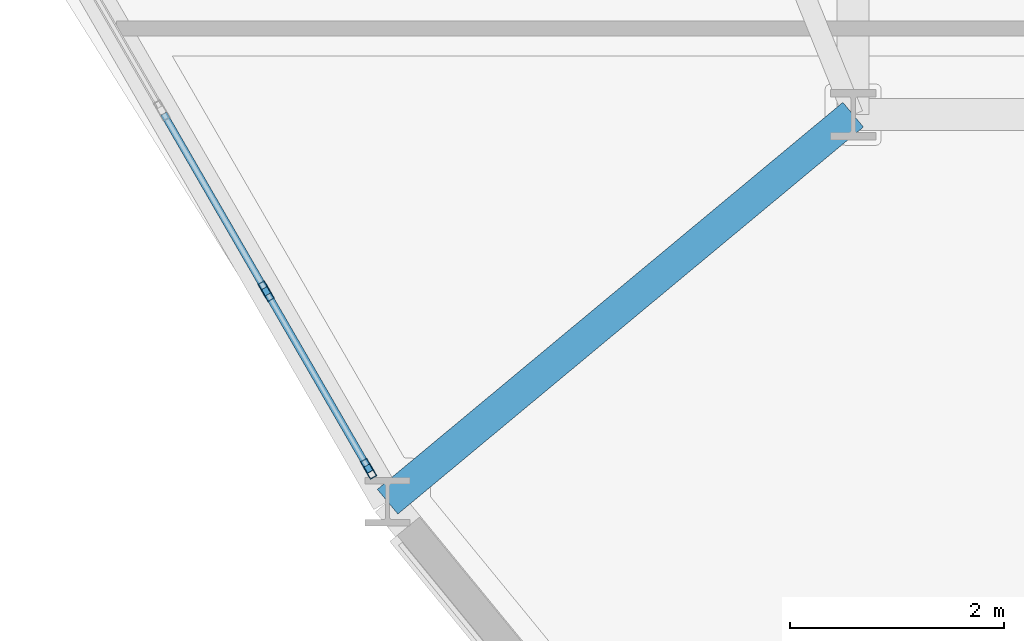
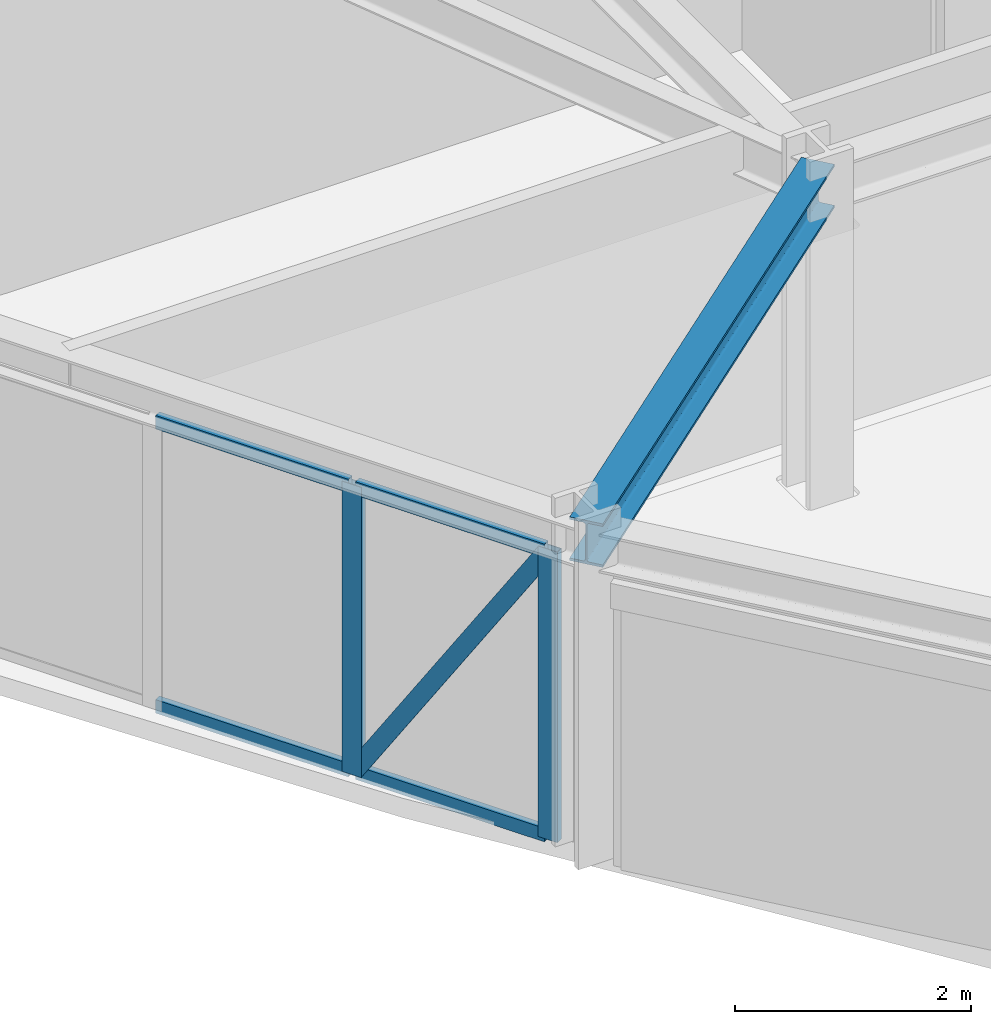
# One storey, part 2 of 23: 7 members, 1 beam, 1 element without a shape of its own.
"""IFC4 building model written with IfcOpenShell, lengths in metres."""

from ifc_helpers import new_model, si_unit, derived_unit, direction, frame, origin, origin_2d, place, context, subcontext, project, spatial, hollow_rectangle, i_section, extrude, source, transform, mapped, material, layer, layer_set, material_profile, profile_set, type_object, element, aggregate, save


model = new_model("IFC4")

# Units and contexts
model_context = context("Model", 3, precision=1e-05, world=origin(), true_north=direction((0.0, 1.0)))
body_context = subcontext(model_context, "Body", "Model", "MODEL_VIEW")
ifc_project = project(units=[si_unit("LENGTHUNIT", "METRE"), si_unit("AREAUNIT", "SQUARE_METRE"), si_unit("VOLUMEUNIT", "CUBIC_METRE"), si_unit("PLANEANGLEUNIT", "RADIAN"), si_unit("MASSUNIT", "GRAM", prefix="KILO"), derived_unit("THERMALTRANSMITTANCEUNIT", [(si_unit("POWERUNIT", "WATT"), 1), (si_unit("LENGTHUNIT", "METRE"), -2), (si_unit("THERMODYNAMICTEMPERATUREUNIT", "KELVIN"), -1)])], contexts=[model_context])

# Site, building, storey
site_placement = place(None, origin())
site = spatial("IfcSite", under=ifc_project, at=site_placement, CompositionType="ELEMENT")
building_placement = place(site_placement, origin())
building = spatial("IfcBuilding", under=site, at=building_placement, Name="Korsvarv Bourse and Concert Hall", CompositionType="ELEMENT")
storey_placement = place(building_placement, frame((0.0, 0.0, 99.0)))
storey = spatial("IfcBuildingStorey", under=building, at=storey_placement, Name="L24", CompositionType="ELEMENT", Elevation=99.0)

# Beam
ifc_material_1 = material(Name="Steel S355", Category="steel")
ifc_material_profile_1 = material_profile(ifc_material_1, i_section(OverallWidth=0.300048828125, OverallDepth=0.449951171875, WebThickness=0.013916015625, FlangeThickness=0.02587890625, FilletRadius=0.02099609375, at=origin_2d()), Name="HEB 450")
ifc_profile_set_1 = profile_set([ifc_material_profile_1], Name="Steel S355")
beam_type = type_object("IfcBeamType", Name="BM-HEB450", PredefinedType="SPANDREL", material=ifc_profile_set_1)
shared_shape_1 = source(origin(), body_context, "Body", "SweptSolid", [
    extrude(i_section(OverallWidth=0.300048828125, OverallDepth=0.449951171875, WebThickness=0.013916015625, FlangeThickness=0.02587890625, FilletRadius=0.02099609375, at=origin_2d()), origin(), (0.0, 0.0, 1.0), 5.658447265625),
])
beam_placement = place(storey_placement, frame((23.248779296875, 20.3828125, 3.175048828125), z_axis=(0.768995227549, 0.639254518957, 0.0), x_axis=(-0.639254518957, 0.768995227549, 0.0)))
element("IfcBeam", 1, at=beam_placement, inside=storey, type_object=beam_type, Name="L24 beam B-08", PredefinedType="SPANDREL", context=body_context, shape_type="MappedRepresentation", body=[
    mapped(shared_shape_1, transform((0.0, 0.0, 0.0), scale=1.0)),
])

# Curtain wall, members
ifc_material_2 = material(Name="Anodised aluminium and triple low-E glazing", Category="glass")
ifc_layer = layer(ifc_material_2, 0.2099609375)
ifc_layer_set = layer_set([ifc_layer], Name="Anodised aluminium and triple low-E glazing")
curtain_wall_type = type_object("IfcCurtainWallType", Name="CW-SYS-2", PredefinedType="NOTDEFINED", material=ifc_layer_set)
curtain_wall_placement = place(storey_placement, origin())
curtain_wall = element("IfcCurtainWall", 2, at=curtain_wall_placement, inside=storey, type_object=curtain_wall_type, Name="L24 CW2 curtain wall CW-L24-F07", PredefinedType="NOTDEFINED")
ifc_material_3 = material(Name="Extruded aluminium EN AW-6063 T66", Category="aluminium")
ifc_material_profile_2 = material_profile(ifc_material_3, hollow_rectangle(XDim=0.070068359375, YDim=0.18994140625, WallThickness=0.0048828125, at=origin_2d()), Name="ALU-M 70x190")
ifc_profile_set_2 = profile_set([ifc_material_profile_2], Name="Extruded aluminium EN AW-6063 T66")
member_type_1 = type_object("IfcMemberType", Name="CWM-190", PredefinedType="MULLION", material=ifc_profile_set_2)
shared_shape_2 = source(origin(), body_context, "Body", "SweptSolid", [
    extrude(hollow_rectangle(XDim=0.070068359375, YDim=0.18994140625, WallThickness=0.0048828125, at=origin_2d()), origin(), (0.0, 0.0, 1.0), 3.0),
])
member_1_placement = place(storey_placement, frame((22.113037109375, 22.349853515625, 0.0), z_axis=(0.0, 0.0, 1.0), x_axis=(0.866024031595, 0.500002376695, 0.0)))
member_1 = element("IfcMember", 3, at=member_1_placement, type_object=member_type_1, Name="CW2 mullion 7", PredefinedType="MULLION", context=body_context, shape_type="MappedRepresentation", body=[
    mapped(shared_shape_2, transform((0.0, 0.0, 0.0), scale=1.0)),
])
member_2_placement = place(storey_placement, frame((23.071044921875, 20.6904296875, 0.0), z_axis=(0.0, 0.0, 1.0), x_axis=(0.866024031595, 0.500002376695, 0.0)))
member_2 = element("IfcMember", 4, at=member_2_placement, type_object=member_type_1, Name="CW2 mullion 8", PredefinedType="MULLION", context=body_context, shape_type="MappedRepresentation", body=[
    mapped(shared_shape_2, transform((0.0, 0.0, 0.0), scale=1.0)),
])
ifc_material_profile_3 = material_profile(ifc_material_3, hollow_rectangle(XDim=0.06494140625, YDim=0.139892578125, WallThickness=0.00390625, at=origin_2d()), Name="ALU-T 65x140")
ifc_profile_set_3 = profile_set([ifc_material_profile_3], Name="Extruded aluminium EN AW-6063 T66")
member_type_2 = type_object("IfcMemberType", Name="CWT-140", PredefinedType="USERDEFINED", material=ifc_profile_set_3)
shared_shape_3 = source(origin(), body_context, "Body", "SweptSolid", [
    extrude(hollow_rectangle(XDim=0.06494140625, YDim=0.139892578125, WallThickness=0.00390625, at=origin_2d()), origin(), (0.0, 0.0, 1.0), 1.84619140625),
])
member_3_placement = place(storey_placement, frame((22.130615234375, 22.319580078125, 0.032470703125), z_axis=(0.499993363642, -0.866029235253, 0.0), x_axis=(0.866029235253, 0.499993363642, 0.0)))
member_3 = element("IfcMember", 5, at=member_3_placement, type_object=member_type_2, Name="CW2 transom 7.1", ObjectType="TRANSOM", PredefinedType="USERDEFINED", context=body_context, shape_type="MappedRepresentation", body=[
    mapped(shared_shape_3, transform((0.0, 0.0, 0.0), scale=1.0)),
])
member_4_placement = place(storey_placement, frame((22.130615234375, 22.319580078125, 2.967529296875), z_axis=(0.499993363642, -0.866029235253, 0.0), x_axis=(0.866029235253, 0.499993363642, 0.0)))
member_4 = element("IfcMember", 6, at=member_4_placement, type_object=member_type_2, Name="CW2 transom 7.2", ObjectType="TRANSOM", PredefinedType="USERDEFINED", context=body_context, shape_type="MappedRepresentation", body=[
    mapped(shared_shape_3, transform((0.0, 0.0, 0.0), scale=1.0)),
])
ifc_material_profile_4 = material_profile(ifc_material_3, hollow_rectangle(XDim=0.06494140625, YDim=0.1650390625, WallThickness=0.0048828125, at=origin_2d()), Name="ALU-M 65x165")
ifc_profile_set_4 = profile_set([ifc_material_profile_4], Name="Extruded aluminium EN AW-6063 T66")
member_type_3 = type_object("IfcMemberType", Name="CWM-165", PredefinedType="MULLION", material=ifc_profile_set_4)
shared_shape_4 = source(origin(), body_context, "Body", "SweptSolid", [
    extrude(hollow_rectangle(XDim=0.06494140625, YDim=0.1650390625, WallThickness=0.0048828125, at=origin_2d()), origin(), (0.0, 0.0, 1.0), 3.41259765625),
])
member_5_placement = place(storey_placement, frame((22.130615234375, 22.319580078125, 0.06494140625), z_axis=(0.270493439102, -0.468516670902, 0.84102641367), x_axis=(0.866029235253, 0.499993363642, 0.0)))
member_5 = element("IfcMember", 7, at=member_5_placement, type_object=member_type_3, Name="CW2 diagonal mullion 7", PredefinedType="MULLION", context=body_context, shape_type="MappedRepresentation", body=[
    mapped(shared_shape_4, transform((0.0, 0.0, 0.0), scale=1.0)),
])
shared_shape_5 = source(origin(), body_context, "Body", "SweptSolid", [
    extrude(hollow_rectangle(XDim=0.06494140625, YDim=0.139892578125, WallThickness=0.00390625, at=origin_2d()), origin(), (0.0, 0.0, 1.0), 1.881103515625),
])
member_6_placement = place(storey_placement, frame((21.155029296875, 24.00927734375, 0.032470703125), z_axis=(0.4999359155, -0.866062399826, 0.0), x_axis=(0.866062399826, 0.4999359155, 0.0)))
member_6 = element("IfcMember", 8, at=member_6_placement, type_object=member_type_2, Name="CW2 transom 6.1", ObjectType="TRANSOM", PredefinedType="USERDEFINED", context=body_context, shape_type="MappedRepresentation", body=[
    mapped(shared_shape_5, transform((0.0, 0.0, 0.0), scale=1.0)),
])
member_7_placement = place(storey_placement, frame((21.155029296875, 24.00927734375, 2.967529296875), z_axis=(0.4999359155, -0.866062399826, 0.0), x_axis=(0.866062399826, 0.4999359155, 0.0)))
member_7 = element("IfcMember", 9, at=member_7_placement, type_object=member_type_2, Name="CW2 transom 6.2", ObjectType="TRANSOM", PredefinedType="USERDEFINED", context=body_context, shape_type="MappedRepresentation", body=[
    mapped(shared_shape_5, transform((0.0, 0.0, 0.0), scale=1.0)),
])
aggregate(curtain_wall, [member_1, member_2, member_6, member_7, member_3, member_4, member_5])

save(model, "model.ifc")
